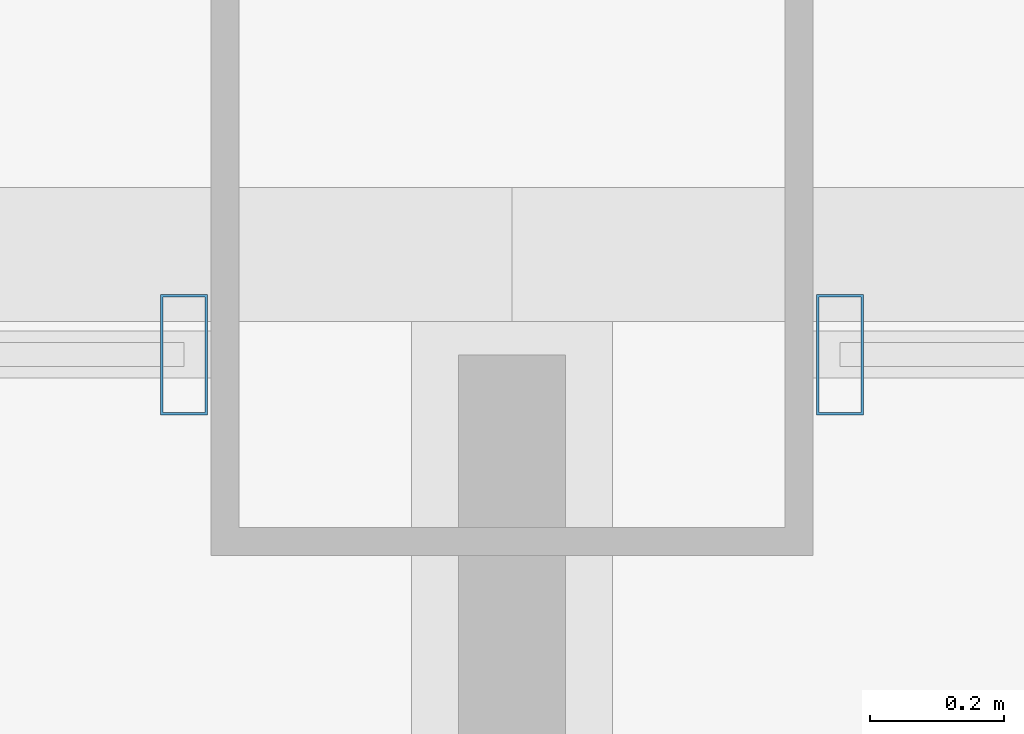
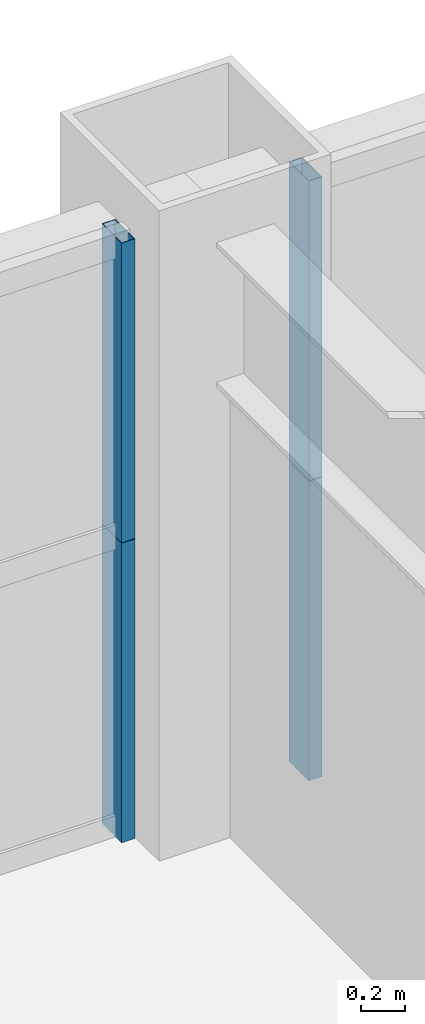
# One storey, part 30 of 43: 4 members, 2 elements without a shape of their own.
"""IFC4 building model written with IfcOpenShell, lengths in metres."""

from ifc_helpers import new_model, si_unit, direction, frame, origin, origin_2d, place, context, subcontext, project, spatial, hollow_rectangle, extrude, source, transform, mapped, material, layer, layer_set, material_profile, profile_set, type_object, element, aggregate, save


model = new_model("IFC4")

# Units and contexts
model_context = context("Model", 3, precision=1e-05, world=origin(), true_north=direction((0.0, 1.0)))
body_context = subcontext(model_context, "Body", "Model", "MODEL_VIEW")
ifc_project = project(units=[si_unit("LENGTHUNIT", "METRE"), si_unit("AREAUNIT", "SQUARE_METRE"), si_unit("VOLUMEUNIT", "CUBIC_METRE"), si_unit("PLANEANGLEUNIT", "RADIAN"), si_unit("MASSUNIT", "GRAM", prefix="KILO"), si_unit("THERMODYNAMICTEMPERATUREUNIT", "KELVIN"), si_unit("POWERUNIT", "WATT")], contexts=[model_context])

# Site, building, storey
site_placement = place(None, origin())
site = spatial("IfcSite", under=ifc_project, at=site_placement, CompositionType="ELEMENT")
building_placement = place(site_placement, origin())
building = spatial("IfcBuilding", under=site, at=building_placement, Name="Yuzanri Waterfront Tower", CompositionType="ELEMENT")
storey_placement = place(building_placement, frame((0.0, 0.0, 37.800048828125)))
storey = spatial("IfcBuildingStorey", under=building, at=storey_placement, Name="L09", CompositionType="ELEMENT", Elevation=37.800048828125)

# Curtain wall, member
ifc_material_1 = material(Name="Anodized Architectural Bronze", Category="metal")
ifc_layer = layer(ifc_material_1, 0.159912109375)
ifc_layer_set = layer_set([ifc_layer], Name="Anodized Architectural Bronze")
curtain_wall_type = type_object("IfcCurtainWallType", Name="Anodized Bronze Hotel Lower-Tier Recessed Unitized Curtain Wall 8100", PredefinedType="NOTDEFINED", material=ifc_layer_set)
curtain_wall_1_placement = place(storey_placement, origin())
curtain_wall_1 = element("IfcCurtainWall", 1, at=curtain_wall_1_placement, inside=storey, type_object=curtain_wall_type, Name="L09 Curtain Wall CW-L09-NL", PredefinedType="NOTDEFINED")
ifc_material_2 = material(Name="Anodized Architectural Bronze", Category="metal")
ifc_material_profile = material_profile(ifc_material_2, hollow_rectangle(XDim=0.070068359375, YDim=0.179931640625, WallThickness=0.00390625, at=origin_2d()), Name="CWM 70x180")
ifc_profile_set = profile_set([ifc_material_profile], Name="Anodized Architectural Bronze")
member_type = type_object("IfcMemberType", Name="Anodized Bronze Standard Curtain-Wall Mullion 70x180", PredefinedType="MULLION", material=ifc_profile_set)
shared_shape_1 = source(origin(), body_context, "Body", "SweptSolid", [
    extrude(hollow_rectangle(XDim=0.070068359375, YDim=0.179931640625, WallThickness=0.00390625, at=origin_2d()), origin(), (0.0, 0.0, 1.0), 1.657958984375),
])
member_1_placement = place(storey_placement, frame((36.510009765625, 50.75, 0.0), z_axis=(0.0, 0.0, 1.0), x_axis=(1.0, 0.0, 0.0)))
member_1 = element("IfcMember", 2, at=member_1_placement, type_object=member_type, Name="CW-L09-NL Lower Mullion 02", PredefinedType="MULLION", context=body_context, shape_type="MappedRepresentation", body=[
    mapped(shared_shape_1, transform((0.0, 0.0, 0.0), scale=1.0)),
])

curtain_wall_2_placement = place(storey_placement, origin())
curtain_wall_2 = element("IfcCurtainWall", 3, at=curtain_wall_2_placement, inside=storey, type_object=curtain_wall_type, Name="L09 Curtain Wall CW-L09-NR", PredefinedType="NOTDEFINED")
member_2_placement = place(storey_placement, frame((37.489990234375, 50.75, 0.0), z_axis=(0.0, 0.0, 1.0), x_axis=(1.0, 0.0, 0.0)))
member_2 = element("IfcMember", 4, at=member_2_placement, type_object=member_type, Name="CW-L09-NR Lower Mullion 00", PredefinedType="MULLION", context=body_context, shape_type="MappedRepresentation", body=[
    mapped(shared_shape_1, transform((0.0, 0.0, 0.0), scale=1.0)),
])

# Member
shared_shape_2 = source(origin(), body_context, "Body", "SweptSolid", [
    extrude(hollow_rectangle(XDim=0.070068359375, YDim=0.179931640625, WallThickness=0.00390625, at=origin_2d()), origin(), (0.0, 0.0, 1.0), 1.658203125),
])
member_3_placement = place(storey_placement, frame((36.510009765625, 50.75, 1.661865234375), z_axis=(0.0, 0.0, 1.0), x_axis=(1.0, 0.0, 0.0)))
member_3 = element("IfcMember", 5, at=member_3_placement, type_object=member_type, Name="CW-L09-NL Upper Mullion 02", PredefinedType="MULLION", context=body_context, shape_type="MappedRepresentation", body=[
    mapped(shared_shape_2, transform((0.0, 0.0, 0.0), scale=1.0)),
])

aggregate(curtain_wall_1, [member_1, member_3])

member_4_placement = place(storey_placement, frame((37.489990234375, 50.75, 1.661865234375), z_axis=(0.0, 0.0, 1.0), x_axis=(1.0, 0.0, 0.0)))
member_4 = element("IfcMember", 6, at=member_4_placement, type_object=member_type, Name="CW-L09-NR Upper Mullion 00", PredefinedType="MULLION", context=body_context, shape_type="MappedRepresentation", body=[
    mapped(shared_shape_2, transform((0.0, 0.0, 0.0), scale=1.0)),
])

aggregate(curtain_wall_2, [member_2, member_4])

save(model, "model.ifc")
